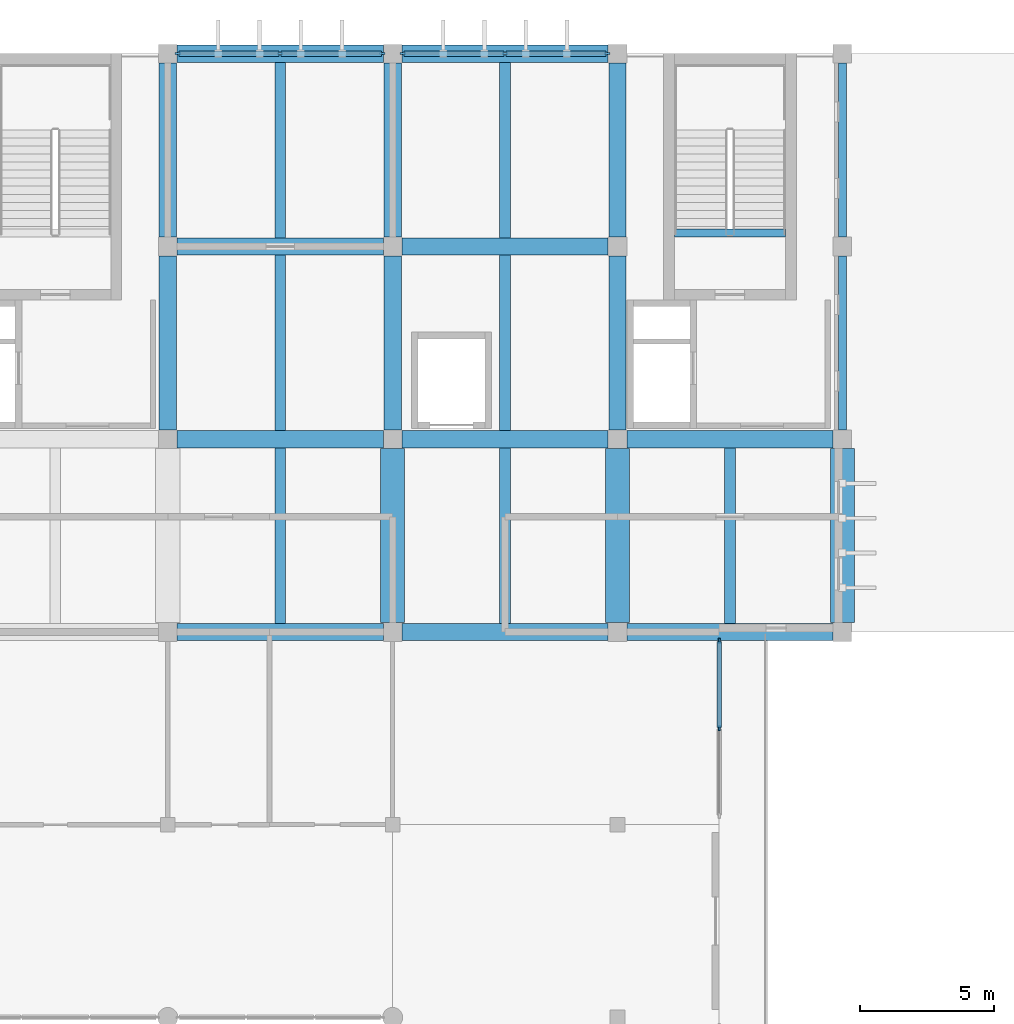
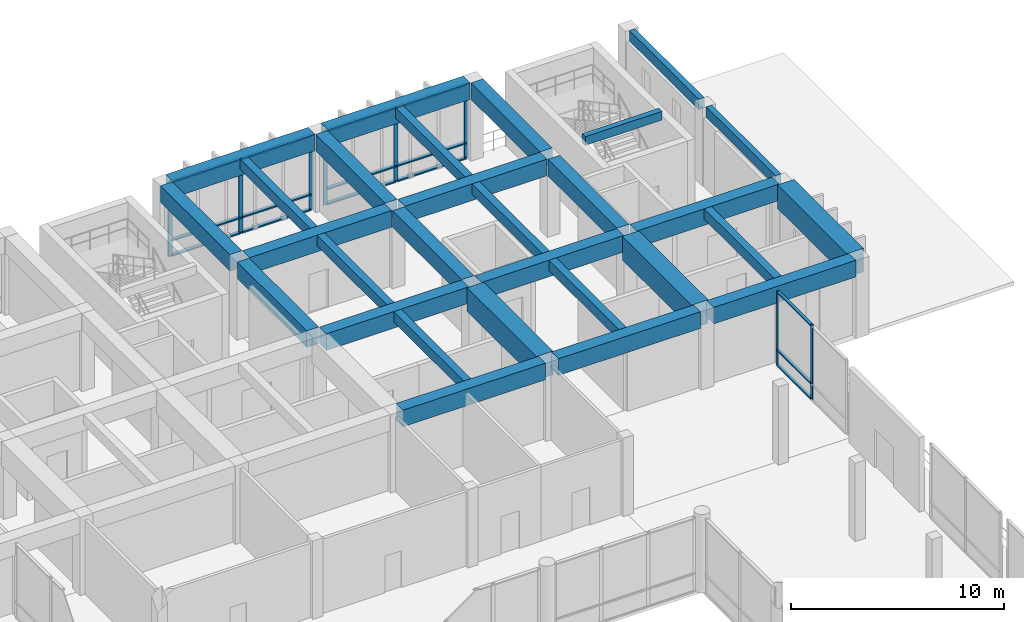
# One storey, part 7 of 17: 29 beams, 23 members, 3 elements without a shape of their own.
"""IFC4 building model written with IfcOpenShell, lengths in metres."""

import ifcopenshell
import ifcopenshell.guid

model = None  # the IFC model being written
_history = None  # IfcOwnerHistory: only IFC2X3 demands one
_inside = {}  # id of a spatial element -> (the spatial element, [elements in it])
_under = {}  # id of a project, library or spatial element -> (it, [spatial elements below it])
_declared = {}  # id of a project -> (the project, [libraries it declares])
_typed = {}  # id of a type object -> (the type object, [elements of that type])
_made_of = {}  # id of a material, layer set ... -> (it, [elements and type objects made of it])


def new_model(schema):
    """Start an empty IFC model of exactly this schema.

    Asked for "IFC4X3", IfcOpenShell would pick the latest addendum, in which some entities
    have other attributes; the version numbers below select the first issue.
    IFC2X3 requires an IfcOwnerHistory on every rooted entity: one is made here for all.
    """
    global model, _history
    if schema == "IFC4X3":
        model = ifcopenshell.file(schema_version=(4, 3, 0, 0))
    else:
        model = ifcopenshell.file(schema=schema)
    _inside.clear()
    _under.clear()
    _declared.clear()
    _typed.clear()
    _made_of.clear()
    _history = None
    if model.schema == "IFC2X3":
        org = make("IfcOrganization", Name="unknown")
        user = make(
            "IfcPersonAndOrganization",
            ThePerson=make("IfcPerson", FamilyName="unknown"),
            TheOrganization=org,
        )
        app = make(
            "IfcApplication",
            ApplicationDeveloper=org,
            Version="unknown",
            ApplicationFullName="unknown",
            ApplicationIdentifier="unknown",
        )
        _history = make(
            "IfcOwnerHistory",
            OwningUser=user,
            OwningApplication=app,
            ChangeAction="ADDED",
            CreationDate=0,
        )
    return model


def make(cls, **values):
    """One entity of the class cls with the attributes given. An attribute that is None is left unset."""
    return model.create_entity(
        cls, **{name: value for name, value in values.items() if value is not None}
    )


def rooted(cls, **values):
    """An entity with a GlobalId (a new one), such as an element, a storey or a relation."""
    return make(cls, GlobalId=ifcopenshell.guid.new(), OwnerHistory=_history, **values)


def si_unit(unit_type, name, prefix=None):
    """IfcSIUnit, for example si_unit("LENGTHUNIT", "METRE", prefix="MILLI")."""
    return make("IfcSIUnit", UnitType=unit_type, Prefix=prefix, Name=name)


def assignment(units):
    """IfcUnitAssignment: the units of a project."""
    return None if units is None else make("IfcUnitAssignment", Units=units)


def point(xyz):
    """IfcCartesianPoint."""
    return None if xyz is None else make("IfcCartesianPoint", Coordinates=xyz)


def direction(xyz):
    """IfcDirection."""
    return None if xyz is None else make("IfcDirection", DirectionRatios=xyz)


def frame(location, z_axis=None, x_axis=None):
    """IfcAxis2Placement3D, a coordinate frame: its origin and axes. An axis left out is left unset."""
    return make(
        "IfcAxis2Placement3D",
        Location=point(location),
        Axis=direction(z_axis),
        RefDirection=direction(x_axis),
    )


def frame_2d(location, x_axis=None):
    """IfcAxis2Placement2D, a coordinate frame in the plane: its origin and x axis."""
    return make(
        "IfcAxis2Placement2D", Location=point(location), RefDirection=direction(x_axis)
    )


def origin():
    """The frame at (0, 0, 0) with its axes left unset."""
    return frame((0.0, 0.0, 0.0))


def origin_2d():
    """The frame at (0, 0) in the plane with its x axis left unset."""
    return frame_2d((0.0, 0.0))


def place(relative_to, where):
    """IfcLocalPlacement: puts the frame where relative to a parent placement (None: the world)."""
    return make(
        "IfcLocalPlacement", PlacementRelTo=relative_to, RelativePlacement=where
    )


def context(
    kind, dimensions, precision=None, world=None, true_north=None, identifier=None
):
    """IfcGeometricRepresentationContext, for example the 3D "Model" context."""
    return make(
        "IfcGeometricRepresentationContext",
        ContextIdentifier=identifier,
        ContextType=kind,
        CoordinateSpaceDimension=dimensions,
        Precision=precision,
        WorldCoordinateSystem=world,
        TrueNorth=true_north,
    )


def subcontext(parent, identifier, kind, view, scale=None):
    """IfcGeometricRepresentationSubContext, for example "Body" below "Model"."""
    return make(
        "IfcGeometricRepresentationSubContext",
        ContextIdentifier=identifier,
        ContextType=kind,
        ParentContext=parent,
        TargetScale=scale,
        TargetView=view,
    )


def project(units=None, contexts=None):
    """IfcProject with its units and contexts."""
    return rooted(
        "IfcProject",
        Name="project",
        RepresentationContexts=contexts,
        UnitsInContext=assignment(units),
    )


def spatial(cls, under=None, at=None, **own):
    """A site, building, storey or space (cls), placed at a placement, below another one or the project."""
    s = rooted(cls, ObjectPlacement=at, **own)
    if under is not None:
        _under.setdefault(under.id(), (under, []))[1].append(s)
    return s


def profile(cls, at=None, kind="AREA", **sizes):
    """A parametric profile (cls). Its sizes go by their IFC names, for example OverallWidth=200.0."""
    return make(cls, ProfileType=kind, Position=at, **sizes)


def rectangle(**sizes):
    """IfcRectangleProfileDef."""
    return profile("IfcRectangleProfileDef", **sizes)


def extrude(swept, where, along, depth):
    """IfcExtrudedAreaSolid: the profile swept, set in the frame where, extruded along a direction by depth."""
    return make(
        "IfcExtrudedAreaSolid",
        SweptArea=swept,
        Position=where,
        ExtrudedDirection=direction(along),
        Depth=depth,
    )


def shape(context_of_items, identifier, shape_type, items):
    """IfcShapeRepresentation: the items that make up one representation, for example the "Body"."""
    return make(
        "IfcShapeRepresentation",
        ContextOfItems=context_of_items,
        RepresentationIdentifier=identifier,
        RepresentationType=shape_type,
        Items=items,
    )


def material(Name=None, Category=None):
    """IfcMaterial."""
    return make("IfcMaterial", Name=Name, Category=Category)


def material_profile(
    of_material, cross_section, Name=None, Category=None, Priority=None
):
    """IfcMaterialProfile: a cross section and its material."""
    return make(
        "IfcMaterialProfile",
        Name=Name,
        Material=of_material,
        Profile=cross_section,
        Priority=Priority,
        Category=Category,
    )


def profile_set(profiles, Name=None, composite=None):
    """IfcMaterialProfileSet."""
    return make(
        "IfcMaterialProfileSet",
        Name=Name,
        MaterialProfiles=profiles,
        CompositeProfile=composite,
    )


def made_of(thing, what):
    """Note that an element or type object is made of a material, layer set ...; save() writes the relation."""
    if what is not None:
        _made_of.setdefault(what.id(), (what, []))[1].append(thing)
    return thing


def type_object(cls, material=None, **own):
    """A type object (cls), such as IfcWallType, which elements share."""
    return made_of(rooted(cls, **own), material)


def element(
    cls,
    number,
    at=None,
    inside=None,
    cuts=None,
    type_object=None,
    material=None,
    context=None,
    identifier="Body",
    shape_type=None,
    held_by="IfcProductDefinitionShape",
    body=None,
    shapes=None,
    **own,
):
    """One element of the class cls, such as IfcWall. Its Tag is "e" and its number.

    at: its placement. inside: the storey or other place that contains it. cuts: it is an
    opening in that element (IfcRelVoidsElement). A single representation is given by context,
    identifier, shape_type and body (its items); several are given by shapes. held_by: the class
    of the entity that holds the representations. save() writes the other relations.
    """
    e = rooted(cls, Tag="e%d" % number, ObjectPlacement=at, **own)
    if body is not None:
        shapes = [shape(context, identifier, shape_type, body)]
    if shapes is not None:
        e.Representation = make(held_by, Representations=shapes)
    if inside is not None:
        _inside.setdefault(inside.id(), (inside, []))[1].append(e)
    if cuts is not None:
        rooted(
            "IfcRelVoidsElement", RelatingBuildingElement=cuts, RelatedOpeningElement=e
        )
    if type_object is not None:
        _typed.setdefault(type_object.id(), (type_object, []))[1].append(e)
    return made_of(e, material)


def aggregate(whole, parts):
    """IfcRelAggregates: a whole, such as a stair, and the parts it consists of."""
    return rooted("IfcRelAggregates", RelatingObject=whole, RelatedObjects=parts)


def save(model, path):
    """Write the relations noted so far, then the file.

    IfcRelAggregates (storeys below a building ...), IfcRelContainedInSpatialStructure (elements
    in a storey), IfcRelDefinesByType, IfcRelAssociatesMaterial and IfcRelDeclares: one each for
    every whole, place, type object, material and project.
    """
    for whole, parts in _under.values():
        aggregate(whole, parts)
    for where, things in _inside.values():
        rooted(
            "IfcRelContainedInSpatialStructure",
            RelatedElements=things,
            RelatingStructure=where,
        )
    for kind, things in _typed.values():
        rooted("IfcRelDefinesByType", RelatedObjects=things, RelatingType=kind)
    for what, things in _made_of.values():
        rooted("IfcRelAssociatesMaterial", RelatedObjects=things, RelatingMaterial=what)
    for by, libraries in _declared.values():
        rooted("IfcRelDeclares", RelatingContext=by, RelatedDefinitions=libraries)
    model.write(path)


model = new_model("IFC4")

# Units and contexts
model_context = context("Model", 3, precision=1e-05, world=origin(), true_north=direction((0.0, 1.0)))
body_context = subcontext(model_context, "Body", "Model", "MODEL_VIEW")
ifc_project = project(units=[si_unit("LENGTHUNIT", "METRE"), si_unit("AREAUNIT", "SQUARE_METRE"), si_unit("VOLUMEUNIT", "CUBIC_METRE"), si_unit("PLANEANGLEUNIT", "RADIAN"), si_unit("MASSUNIT", "GRAM", prefix="KILO")], contexts=[model_context])

# Site, building, storey
site_placement = place(None, origin())
site = spatial("IfcSite", under=ifc_project, at=site_placement, CompositionType="ELEMENT")
building_placement = place(site_placement, origin())
building = spatial("IfcBuilding", under=site, at=building_placement, Name="Kenerak Square Central Library", CompositionType="ELEMENT")
storey_placement = place(building_placement, frame((0.0, 0.0, 23.360107421875)))
storey = spatial("IfcBuildingStorey", under=building, at=storey_placement, Name="L05", CompositionType="ELEMENT", Elevation=23.360107421875)

# Beams
ifc_material_1 = material(Name="Concrete C45/55", Category="concrete")
ifc_material_profile_1 = material_profile(ifc_material_1, rectangle(XDim=0.64990234375, YDim=0.949951171875, at=origin_2d()), Name="RC 650x950")
ifc_profile_set_1 = profile_set([ifc_material_profile_1], Name="Concrete C45/55")
beam_type_1 = type_object("IfcBeamType", Name="Book Stack Girder B-02 RC 650x950 C45/55", PredefinedType="BEAM", material=ifc_profile_set_1)
for number, where, z_axis, x_axis, name in (
    (1, (92.35009765625, 88.800048828125, 4.0048828125), (1.0, 0.0, 0.0), (0.0, 1.0, 0.0), "Beam B-02 L05 1650"),
    (2, (100.75, 88.800048828125, 4.0048828125), (1.0, 0.0, 0.0), (0.0, 1.0, 0.0), "Beam B-02 L05 1651"),
):
    element("IfcBeam", number, at=place(storey_placement, frame(where, z_axis=z_axis, x_axis=x_axis)), inside=storey, type_object=beam_type_1, Name=name, PredefinedType="BEAM", context=body_context, shape_type="SweptSolid", body=[
        extrude(rectangle(XDim=0.64990234375, YDim=0.949951171875, at=origin_2d()), origin(), (0.0, 0.0, 1.0), 7.699951171875),
    ])
beam_1_placement = place(storey_placement, frame((109.14990234375, 88.800048828125, 4.0048828125), z_axis=(1.0, 0.0, 0.0), x_axis=(0.0, 1.0, 0.0)))
element("IfcBeam", 3, at=beam_1_placement, inside=storey, type_object=beam_type_1, Name="Beam B-02 L05 1652", PredefinedType="BEAM", context=body_context, shape_type="SweptSolid", body=[
    extrude(rectangle(XDim=0.64990234375, YDim=0.949951171875, at=origin_2d()), origin(), (0.0, 0.0, 1.0), 7.7001953125),
])
for number, where, z_axis, x_axis, name in (
    (4, (92.35009765625, 96.0, 4.0048828125), (1.0, 0.0, 0.0), (0.0, 1.0, 0.0), "Beam B-02 L05 1657"),
    (5, (100.75, 96.0, 4.0048828125), (1.0, 0.0, 0.0), (0.0, 1.0, 0.0), "Beam B-02 L05 1658"),
):
    element("IfcBeam", number, at=place(storey_placement, frame(where, z_axis=z_axis, x_axis=x_axis)), inside=storey, type_object=beam_type_1, Name=name, PredefinedType="BEAM", context=body_context, shape_type="SweptSolid", body=[
        extrude(rectangle(XDim=0.64990234375, YDim=0.949951171875, at=origin_2d()), origin(), (0.0, 0.0, 1.0), 7.699951171875),
    ])
beam_2_placement = place(storey_placement, frame((109.14990234375, 96.0, 4.0048828125), z_axis=(1.0, 0.0, 0.0), x_axis=(0.0, 1.0, 0.0)))
element("IfcBeam", 6, at=beam_2_placement, inside=storey, type_object=beam_type_1, Name="Beam B-02 L05 1659", PredefinedType="BEAM", context=body_context, shape_type="SweptSolid", body=[
    extrude(rectangle(XDim=0.64990234375, YDim=0.949951171875, at=origin_2d()), origin(), (0.0, 0.0, 1.0), 7.7001953125),
])
for number, where, z_axis, x_axis, name in (
    (7, (92.35009765625, 103.199951171875, 4.0048828125), (1.0, 0.0, 0.0), (0.0, 1.0, 0.0), "Beam B-02 L05 1662"),
    (8, (100.75, 103.199951171875, 4.0048828125), (1.0, 0.0, 0.0), (0.0, 1.0, 0.0), "Beam B-02 L05 1663"),
    (9, (92.35009765625, 110.39990234375, 4.0048828125), (1.0, 0.0, 0.0), (0.0, 1.0, 0.0), "Beam B-02 L05 1666"),
    (10, (100.75, 110.39990234375, 4.0048828125), (1.0, 0.0, 0.0), (0.0, 1.0, 0.0), "Beam B-02 L05 1667"),
):
    element("IfcBeam", number, at=place(storey_placement, frame(where, z_axis=z_axis, x_axis=x_axis)), inside=storey, type_object=beam_type_1, Name=name, PredefinedType="BEAM", context=body_context, shape_type="SweptSolid", body=[
        extrude(rectangle(XDim=0.64990234375, YDim=0.949951171875, at=origin_2d()), origin(), (0.0, 0.0, 1.0), 7.699951171875),
    ])
for number, where, z_axis, x_axis, name in (
    (11, (92.0, 96.35009765625, 4.0048828125), (0.0, 1.0, 0.0), (-1.0, 0.0, 0.0), "Beam B-02 L05 1681"),
    (12, (92.0, 103.550048828125, 4.0048828125), (0.0, 1.0, 0.0), (-1.0, 0.0, 0.0), "Beam B-02 L05 1682"),
    (13, (100.39990234375, 96.35009765625, 4.0048828125), (0.0, 1.0, 0.0), (-1.0, 0.0, 0.0), "Beam B-02 L05 1684"),
    (14, (100.39990234375, 103.550048828125, 4.0048828125), (0.0, 1.0, 0.0), (-1.0, 0.0, 0.0), "Beam B-02 L05 1685"),
    (15, (108.800048828125, 96.35009765625, 4.0048828125), (0.0, 1.0, 0.0), (-1.0, 0.0, 0.0), "Beam B-02 L05 1687"),
    (16, (108.800048828125, 103.550048828125, 4.0048828125), (0.0, 1.0, 0.0), (-1.0, 0.0, 0.0), "Beam B-02 L05 1688"),
):
    element("IfcBeam", number, at=place(storey_placement, frame(where, z_axis=z_axis, x_axis=x_axis)), inside=storey, type_object=beam_type_1, Name=name, PredefinedType="BEAM", context=body_context, shape_type="SweptSolid", body=[
        extrude(rectangle(XDim=0.64990234375, YDim=0.949951171875, at=origin_2d()), origin(), (0.0, 0.0, 1.0), 6.5),
    ])
ifc_material_2 = material(Name="Concrete C40/50", Category="concrete")
ifc_material_profile_2 = material_profile(ifc_material_2, rectangle(XDim=0.300048828125, YDim=0.60009765625, at=origin_2d()), Name="RC 300x600")
ifc_profile_set_2 = profile_set([ifc_material_profile_2], Name="Concrete C40/50")
beam_type_2 = type_object("IfcBeamType", Name="Courtyard Spandrel Beam SP-02 RC 300x600 C40/50", PredefinedType="SPANDREL", material=ifc_profile_set_2)
for number, where, z_axis, x_axis, name in (
    (17, (117.199951171875, 96.35009765625, 4.179931640625), (0.0, 1.0, 0.0), (-1.0, 0.0, 0.0), "Beam SP-02 L05 1690"),
    (18, (117.199951171875, 103.550048828125, 4.179931640625), (0.0, 1.0, 0.0), (-1.0, 0.0, 0.0), "Beam SP-02 L05 1691"),
):
    element("IfcBeam", number, at=place(storey_placement, frame(where, z_axis=z_axis, x_axis=x_axis)), inside=storey, type_object=beam_type_2, Name=name, PredefinedType="SPANDREL", context=body_context, shape_type="SweptSolid", body=[
        extrude(rectangle(XDim=0.300048828125, YDim=0.60009765625, at=origin_2d()), origin(), (0.0, 0.0, 1.0), 6.5),
    ])

# Curtain wall, members
ifc_material_3 = material(Name="Anodised aluminium and solar-control low-E glazing", Category="aluminium")
curtain_wall_type_1 = type_object("IfcCurtainWallType", Name="Curtain Wall CW-V4-66x42 6600x4255", PredefinedType="USERDEFINED", material=ifc_material_3)
curtain_wall_1_placement = place(storey_placement, origin())
curtain_wall_1 = element("IfcCurtainWall", 19, at=curtain_wall_1_placement, inside=storey, type_object=curtain_wall_type_1, Name="Curtain Wall CW-V4-66x42 L05 0159", ObjectType="CURTAIN WALL", PredefinedType="USERDEFINED")
ifc_material_4 = material(Name="Anodised aluminium 6063-T6", Category="aluminium")
ifc_material_profile_3 = material_profile(ifc_material_4, rectangle(XDim=0.06494140625, YDim=0.179931640625, at=origin_2d()), Name="AL MULLION 65x180")
ifc_profile_set_3 = profile_set([ifc_material_profile_3], Name="Anodised aluminium 6063-T6")
member_type_1 = type_object("IfcMemberType", Name="Curtain Mullion CM-01 65x180", PredefinedType="MULLION", material=ifc_profile_set_3)
member_1_placement = place(storey_placement, frame((112.60009765625, 88.467529296875, 0.0), z_axis=(0.0, 0.0, 1.0), x_axis=(1.0, 0.0, 0.0)))
member_1 = element("IfcMember", 20, at=member_1_placement, type_object=member_type_1, Name="CW-V4-66x42 Mullion 1", PredefinedType="MULLION", context=body_context, shape_type="SweptSolid", body=[
    extrude(rectangle(XDim=0.06494140625, YDim=0.179931640625, at=origin_2d()), origin(), (0.0, 0.0, 1.0), 4.2548828125),
])
member_2_placement = place(storey_placement, frame((112.60009765625, 85.199951171875, 0.0), z_axis=(0.0, 0.0, 1.0), x_axis=(1.0, 0.0, 0.0)))
member_2 = element("IfcMember", 21, at=member_2_placement, type_object=member_type_1, Name="CW-V4-66x42 Mullion 2", PredefinedType="MULLION", context=body_context, shape_type="SweptSolid", body=[
    extrude(rectangle(XDim=0.06494140625, YDim=0.179931640625, at=origin_2d()), origin(), (0.0, 0.0, 1.0), 4.2548828125),
])

curtain_wall_type_2 = type_object("IfcCurtainWallType", Name="Curtain Wall CW-V5-77x42 7700x4255", PredefinedType="USERDEFINED", material=ifc_material_3)
curtain_wall_2_placement = place(storey_placement, origin())
curtain_wall_2 = element("IfcCurtainWall", 22, at=curtain_wall_2_placement, inside=storey, type_object=curtain_wall_type_2, Name="Curtain Wall CW-V5-77x42 L05 0157", ObjectType="CURTAIN WALL", PredefinedType="USERDEFINED")
ifc_material_profile_4 = material_profile(ifc_material_4, rectangle(XDim=0.074951171875, YDim=0.219970703125, at=origin_2d()), Name="AL MULLION 75x220")
ifc_profile_set_4 = profile_set([ifc_material_profile_4], Name="Anodised aluminium 6063-T6")
member_type_2 = type_object("IfcMemberType", Name="Curtain Mullion CM-02 75x220", PredefinedType="MULLION", material=ifc_profile_set_4)
member_3_placement = place(storey_placement, frame((92.387451171875, 110.39990234375, 0.0), z_axis=(0.0, 0.0, 1.0), x_axis=(0.0, 1.0, 0.0)))
member_3 = element("IfcMember", 23, at=member_3_placement, type_object=member_type_2, Name="CW-V5-77x42 Mullion 1", PredefinedType="MULLION", context=body_context, shape_type="SweptSolid", body=[
    extrude(rectangle(XDim=0.074951171875, YDim=0.219970703125, at=origin_2d()), origin(), (0.0, 0.0, 1.0), 4.2548828125),
])
member_4_placement = place(storey_placement, frame((96.199951171875, 110.39990234375, 0.0), z_axis=(0.0, 0.0, 1.0), x_axis=(0.0, 1.0, 0.0)))
member_4 = element("IfcMember", 24, at=member_4_placement, type_object=member_type_2, Name="CW-V5-77x42 Mullion 2", PredefinedType="MULLION", context=body_context, shape_type="SweptSolid", body=[
    extrude(rectangle(XDim=0.074951171875, YDim=0.219970703125, at=origin_2d()), origin(), (0.0, 0.0, 1.0), 4.2548828125),
])
member_5_placement = place(storey_placement, frame((100.012451171875, 110.39990234375, 0.0), z_axis=(0.0, 0.0, 1.0), x_axis=(0.0, 1.0, 0.0)))
member_5 = element("IfcMember", 25, at=member_5_placement, type_object=member_type_2, Name="CW-V5-77x42 Mullion 3", PredefinedType="MULLION", context=body_context, shape_type="SweptSolid", body=[
    extrude(rectangle(XDim=0.074951171875, YDim=0.219970703125, at=origin_2d()), origin(), (0.0, 0.0, 1.0), 4.2548828125),
])

curtain_wall_3_placement = place(storey_placement, origin())
curtain_wall_3 = element("IfcCurtainWall", 26, at=curtain_wall_3_placement, inside=storey, type_object=curtain_wall_type_2, Name="Curtain Wall CW-V5-77x42 L05 0158", ObjectType="CURTAIN WALL", PredefinedType="USERDEFINED")
member_6_placement = place(storey_placement, frame((100.78759765625, 110.39990234375, 0.0), z_axis=(0.0, 0.0, 1.0), x_axis=(0.0, 1.0, 0.0)))
member_6 = element("IfcMember", 27, at=member_6_placement, type_object=member_type_2, Name="CW-V5-77x42 Mullion 1", PredefinedType="MULLION", context=body_context, shape_type="SweptSolid", body=[
    extrude(rectangle(XDim=0.074951171875, YDim=0.219970703125, at=origin_2d()), origin(), (0.0, 0.0, 1.0), 4.2548828125),
])
member_7_placement = place(storey_placement, frame((104.60009765625, 110.39990234375, 0.0), z_axis=(0.0, 0.0, 1.0), x_axis=(0.0, 1.0, 0.0)))
member_7 = element("IfcMember", 28, at=member_7_placement, type_object=member_type_2, Name="CW-V5-77x42 Mullion 2", PredefinedType="MULLION", context=body_context, shape_type="SweptSolid", body=[
    extrude(rectangle(XDim=0.074951171875, YDim=0.219970703125, at=origin_2d()), origin(), (0.0, 0.0, 1.0), 4.2548828125),
])
member_8_placement = place(storey_placement, frame((108.41259765625, 110.39990234375, 0.0), z_axis=(0.0, 0.0, 1.0), x_axis=(0.0, 1.0, 0.0)))
member_8 = element("IfcMember", 29, at=member_8_placement, type_object=member_type_2, Name="CW-V5-77x42 Mullion 3", PredefinedType="MULLION", context=body_context, shape_type="SweptSolid", body=[
    extrude(rectangle(XDim=0.074951171875, YDim=0.219970703125, at=origin_2d()), origin(), (0.0, 0.0, 1.0), 4.2548828125),
])

# Member
ifc_material_profile_5 = material_profile(ifc_material_4, rectangle(XDim=0.159912109375, YDim=0.06494140625, at=origin_2d()), Name="AL TRANSOM 160x65")
ifc_profile_set_5 = profile_set([ifc_material_profile_5], Name="Anodised aluminium 6063-T6")
member_type_3 = type_object("IfcMemberType", Name="Curtain Transom CT-11 160x65", PredefinedType="USERDEFINED", material=ifc_profile_set_5)
member_9_placement = place(storey_placement, frame((112.60009765625, 88.43505859375, 0.032470703125), z_axis=(0.0, -1.0, 0.0), x_axis=(1.0, 0.0, 0.0)))
member_9 = element("IfcMember", 30, at=member_9_placement, type_object=member_type_3, Name="CW-V4-66x42 Transom 1.1", ObjectType="TRANSOM", PredefinedType="USERDEFINED", context=body_context, shape_type="SweptSolid", body=[
    extrude(rectangle(XDim=0.159912109375, YDim=0.06494140625, at=origin_2d()), origin(), (0.0, 0.0, 1.0), 3.20263671875),
])

member_10_placement = place(storey_placement, frame((112.60009765625, 88.43505859375, 0.89990234375), z_axis=(0.0, -1.0, 0.0), x_axis=(1.0, 0.0, 0.0)))
member_10 = element("IfcMember", 31, at=member_10_placement, type_object=member_type_3, Name="CW-V4-66x42 Transom 1.2", ObjectType="TRANSOM", PredefinedType="USERDEFINED", context=body_context, shape_type="SweptSolid", body=[
    extrude(rectangle(XDim=0.159912109375, YDim=0.06494140625, at=origin_2d()), origin(), (0.0, 0.0, 1.0), 3.20263671875),
])

member_11_placement = place(storey_placement, frame((112.60009765625, 88.43505859375, 4.222412109375), z_axis=(0.0, -1.0, 0.0), x_axis=(1.0, 0.0, 0.0)))
member_11 = element("IfcMember", 32, at=member_11_placement, type_object=member_type_3, Name="CW-V4-66x42 Transom 1.3", ObjectType="TRANSOM", PredefinedType="USERDEFINED", context=body_context, shape_type="SweptSolid", body=[
    extrude(rectangle(XDim=0.159912109375, YDim=0.06494140625, at=origin_2d()), origin(), (0.0, 0.0, 1.0), 3.20263671875),
])

aggregate(curtain_wall_1, [member_1, member_2, member_9, member_10, member_11])

ifc_material_profile_6 = material_profile(ifc_material_4, rectangle(XDim=0.199951171875, YDim=0.074951171875, at=origin_2d()), Name="AL TRANSOM 200x75")
ifc_profile_set_6 = profile_set([ifc_material_profile_6], Name="Anodised aluminium 6063-T6")
member_type_4 = type_object("IfcMemberType", Name="Curtain Transom CT-12 200x75", PredefinedType="USERDEFINED", material=ifc_profile_set_6)
member_12_placement = place(storey_placement, frame((92.425048828125, 110.39990234375, 0.037353515625), z_axis=(1.0, 0.0, 0.0), x_axis=(0.0, 1.0, 0.0)))
member_12 = element("IfcMember", 33, at=member_12_placement, type_object=member_type_4, Name="CW-V5-77x42 Transom 1.1", ObjectType="TRANSOM", PredefinedType="USERDEFINED", context=body_context, shape_type="SweptSolid", body=[
    extrude(rectangle(XDim=0.199951171875, YDim=0.074951171875, at=origin_2d()), origin(), (0.0, 0.0, 1.0), 3.737548828125),
])

member_13_placement = place(storey_placement, frame((92.425048828125, 110.39990234375, 0.89990234375), z_axis=(1.0, 0.0, 0.0), x_axis=(0.0, 1.0, 0.0)))
member_13 = element("IfcMember", 34, at=member_13_placement, type_object=member_type_4, Name="CW-V5-77x42 Transom 1.2", ObjectType="TRANSOM", PredefinedType="USERDEFINED", context=body_context, shape_type="SweptSolid", body=[
    extrude(rectangle(XDim=0.199951171875, YDim=0.074951171875, at=origin_2d()), origin(), (0.0, 0.0, 1.0), 3.737548828125),
])

member_14_placement = place(storey_placement, frame((92.425048828125, 110.39990234375, 4.21728515625), z_axis=(1.0, 0.0, 0.0), x_axis=(0.0, 1.0, 0.0)))
member_14 = element("IfcMember", 35, at=member_14_placement, type_object=member_type_4, Name="CW-V5-77x42 Transom 1.3", ObjectType="TRANSOM", PredefinedType="USERDEFINED", context=body_context, shape_type="SweptSolid", body=[
    extrude(rectangle(XDim=0.199951171875, YDim=0.074951171875, at=origin_2d()), origin(), (0.0, 0.0, 1.0), 3.737548828125),
])

member_15_placement = place(storey_placement, frame((96.237548828125, 110.39990234375, 0.037353515625), z_axis=(1.0, 0.0, 0.0), x_axis=(0.0, 1.0, 0.0)))
member_15 = element("IfcMember", 36, at=member_15_placement, type_object=member_type_4, Name="CW-V5-77x42 Transom 2.1", ObjectType="TRANSOM", PredefinedType="USERDEFINED", context=body_context, shape_type="SweptSolid", body=[
    extrude(rectangle(XDim=0.199951171875, YDim=0.074951171875, at=origin_2d()), origin(), (0.0, 0.0, 1.0), 3.737548828125),
])

member_16_placement = place(storey_placement, frame((96.237548828125, 110.39990234375, 0.89990234375), z_axis=(1.0, 0.0, 0.0), x_axis=(0.0, 1.0, 0.0)))
member_16 = element("IfcMember", 37, at=member_16_placement, type_object=member_type_4, Name="CW-V5-77x42 Transom 2.2", ObjectType="TRANSOM", PredefinedType="USERDEFINED", context=body_context, shape_type="SweptSolid", body=[
    extrude(rectangle(XDim=0.199951171875, YDim=0.074951171875, at=origin_2d()), origin(), (0.0, 0.0, 1.0), 3.737548828125),
])

member_17_placement = place(storey_placement, frame((96.237548828125, 110.39990234375, 4.21728515625), z_axis=(1.0, 0.0, 0.0), x_axis=(0.0, 1.0, 0.0)))
member_17 = element("IfcMember", 38, at=member_17_placement, type_object=member_type_4, Name="CW-V5-77x42 Transom 2.3", ObjectType="TRANSOM", PredefinedType="USERDEFINED", context=body_context, shape_type="SweptSolid", body=[
    extrude(rectangle(XDim=0.199951171875, YDim=0.074951171875, at=origin_2d()), origin(), (0.0, 0.0, 1.0), 3.737548828125),
])

aggregate(curtain_wall_2, [member_3, member_4, member_5, member_12, member_13, member_14, member_15, member_16, member_17])

member_18_placement = place(storey_placement, frame((100.824951171875, 110.39990234375, 0.037353515625), z_axis=(1.0, 0.0, 0.0), x_axis=(0.0, 1.0, 0.0)))
member_18 = element("IfcMember", 39, at=member_18_placement, type_object=member_type_4, Name="CW-V5-77x42 Transom 1.1", ObjectType="TRANSOM", PredefinedType="USERDEFINED", context=body_context, shape_type="SweptSolid", body=[
    extrude(rectangle(XDim=0.199951171875, YDim=0.074951171875, at=origin_2d()), origin(), (0.0, 0.0, 1.0), 3.737548828125),
])

member_19_placement = place(storey_placement, frame((100.824951171875, 110.39990234375, 0.89990234375), z_axis=(1.0, 0.0, 0.0), x_axis=(0.0, 1.0, 0.0)))
member_19 = element("IfcMember", 40, at=member_19_placement, type_object=member_type_4, Name="CW-V5-77x42 Transom 1.2", ObjectType="TRANSOM", PredefinedType="USERDEFINED", context=body_context, shape_type="SweptSolid", body=[
    extrude(rectangle(XDim=0.199951171875, YDim=0.074951171875, at=origin_2d()), origin(), (0.0, 0.0, 1.0), 3.737548828125),
])

member_20_placement = place(storey_placement, frame((100.824951171875, 110.39990234375, 4.21728515625), z_axis=(1.0, 0.0, 0.0), x_axis=(0.0, 1.0, 0.0)))
member_20 = element("IfcMember", 41, at=member_20_placement, type_object=member_type_4, Name="CW-V5-77x42 Transom 1.3", ObjectType="TRANSOM", PredefinedType="USERDEFINED", context=body_context, shape_type="SweptSolid", body=[
    extrude(rectangle(XDim=0.199951171875, YDim=0.074951171875, at=origin_2d()), origin(), (0.0, 0.0, 1.0), 3.737548828125),
])

member_21_placement = place(storey_placement, frame((104.637451171875, 110.39990234375, 0.037353515625), z_axis=(1.0, 0.0, 0.0), x_axis=(0.0, 1.0, 0.0)))
member_21 = element("IfcMember", 42, at=member_21_placement, type_object=member_type_4, Name="CW-V5-77x42 Transom 2.1", ObjectType="TRANSOM", PredefinedType="USERDEFINED", context=body_context, shape_type="SweptSolid", body=[
    extrude(rectangle(XDim=0.199951171875, YDim=0.074951171875, at=origin_2d()), origin(), (0.0, 0.0, 1.0), 3.737548828125),
])

member_22_placement = place(storey_placement, frame((104.637451171875, 110.39990234375, 0.89990234375), z_axis=(1.0, 0.0, 0.0), x_axis=(0.0, 1.0, 0.0)))
member_22 = element("IfcMember", 43, at=member_22_placement, type_object=member_type_4, Name="CW-V5-77x42 Transom 2.2", ObjectType="TRANSOM", PredefinedType="USERDEFINED", context=body_context, shape_type="SweptSolid", body=[
    extrude(rectangle(XDim=0.199951171875, YDim=0.074951171875, at=origin_2d()), origin(), (0.0, 0.0, 1.0), 3.737548828125),
])

member_23_placement = place(storey_placement, frame((104.637451171875, 110.39990234375, 4.21728515625), z_axis=(1.0, 0.0, 0.0), x_axis=(0.0, 1.0, 0.0)))
member_23 = element("IfcMember", 44, at=member_23_placement, type_object=member_type_4, Name="CW-V5-77x42 Transom 2.3", ObjectType="TRANSOM", PredefinedType="USERDEFINED", context=body_context, shape_type="SweptSolid", body=[
    extrude(rectangle(XDim=0.199951171875, YDim=0.074951171875, at=origin_2d()), origin(), (0.0, 0.0, 1.0), 3.737548828125),
])

aggregate(curtain_wall_3, [member_6, member_7, member_8, member_18, member_19, member_20, member_21, member_22, member_23])

# Beams
ifc_material_profile_7 = material_profile(ifc_material_2, rectangle(XDim=0.300048828125, YDim=0.5, at=origin_2d()), Name="RC 300x500")
ifc_profile_set_7 = profile_set([ifc_material_profile_7], Name="Concrete C40/50")
beam_type_3 = type_object("IfcBeamType", Name="Landing Support Beam B-08 RC 300x500 C40/50", PredefinedType="BEAM", material=ifc_profile_set_7)
beam_3_placement = place(storey_placement, frame((110.919921875, 103.7099609375, 4.22998046875), z_axis=(1.0, 0.0, 0.0), x_axis=(0.0, 1.0, 0.0)))
element("IfcBeam", 45, at=beam_3_placement, inside=storey, type_object=beam_type_3, Name="Stair Threshold Beam B-08 ST-03 L06", PredefinedType="BEAM", context=body_context, shape_type="SweptSolid", body=[
    extrude(rectangle(XDim=0.300048828125, YDim=0.5, at=origin_2d()), origin(), (0.0, 0.0, 1.0), 4.16015625),
])
ifc_material_profile_8 = material_profile(ifc_material_2, rectangle(XDim=0.39990234375, YDim=0.60009765625, at=origin_2d()), Name="RC 400x600")
ifc_profile_set_8 = profile_set([ifc_material_profile_8], Name="Concrete C40/50")
beam_type_4 = type_object("IfcBeamType", Name="Secondary Floor Joist J-01 RC 400x600 C40/50", PredefinedType="JOIST", material=ifc_profile_set_8)
for number, where, z_axis, x_axis, name in (
    (46, (96.199951171875, 89.125, 4.179931640625), (0.0, 1.0, 0.0), (-1.0, 0.0, 0.0), "Joist J-01 L05 1698"),
    (47, (96.199951171875, 96.324951171875, 4.179931640625), (0.0, 1.0, 0.0), (-1.0, 0.0, 0.0), "Joist J-01 L05 1699"),
    (48, (96.199951171875, 103.52490234375, 4.179931640625), (0.0, 1.0, 0.0), (-1.0, 0.0, 0.0), "Joist J-01 L05 1700"),
    (49, (104.60009765625, 89.125, 4.179931640625), (0.0, 1.0, 0.0), (-1.0, 0.0, 0.0), "Joist J-01 L05 1701"),
    (50, (104.60009765625, 96.324951171875, 4.179931640625), (0.0, 1.0, 0.0), (-1.0, 0.0, 0.0), "Joist J-01 L05 1702"),
    (51, (104.60009765625, 103.52490234375, 4.179931640625), (0.0, 1.0, 0.0), (-1.0, 0.0, 0.0), "Joist J-01 L05 1703"),
    (52, (113.0, 89.125, 4.179931640625), (0.0, 1.0, 0.0), (-1.0, 0.0, 0.0), "Joist J-01 L05 1704"),
):
    element("IfcBeam", number, at=place(storey_placement, frame(where, z_axis=z_axis, x_axis=x_axis)), inside=storey, type_object=beam_type_4, Name=name, PredefinedType="JOIST", context=body_context, shape_type="SweptSolid", body=[
        extrude(rectangle(XDim=0.39990234375, YDim=0.60009765625, at=origin_2d()), origin(), (0.0, 0.0, 1.0), 6.550048828125),
    ])
ifc_material_profile_9 = material_profile(ifc_material_1, rectangle(XDim=0.89990234375, YDim=1.35009765625, at=origin_2d()), Name="RC 900x1350")
ifc_profile_set_9 = profile_set([ifc_material_profile_9], Name="Concrete C45/55")
beam_type_5 = type_object("IfcBeamType", Name="Transfer Girder TG-02 RC 900x1350 C45/55", PredefinedType="BEAM", material=ifc_profile_set_9)
for number, where, z_axis, x_axis, name in (
    (53, (100.39990234375, 89.14990234375, 3.804931640625), (0.0, 1.0, 0.0), (-1.0, 0.0, 0.0), "Beam TG-02 L05 1683"),
    (54, (108.800048828125, 89.14990234375, 3.804931640625), (0.0, 1.0, 0.0), (-1.0, 0.0, 0.0), "Beam TG-02 L05 1686"),
    (55, (117.199951171875, 89.14990234375, 3.804931640625), (0.0, 1.0, 0.0), (-1.0, 0.0, 0.0), "Beam TG-02 L05 1689"),
):
    element("IfcBeam", number, at=place(storey_placement, frame(where, z_axis=z_axis, x_axis=x_axis)), inside=storey, type_object=beam_type_5, Name=name, PredefinedType="BEAM", context=body_context, shape_type="SweptSolid", body=[
        extrude(rectangle(XDim=0.89990234375, YDim=1.35009765625, at=origin_2d()), origin(), (0.0, 0.0, 1.0), 6.5),
    ])

save(model, "model.ifc")
